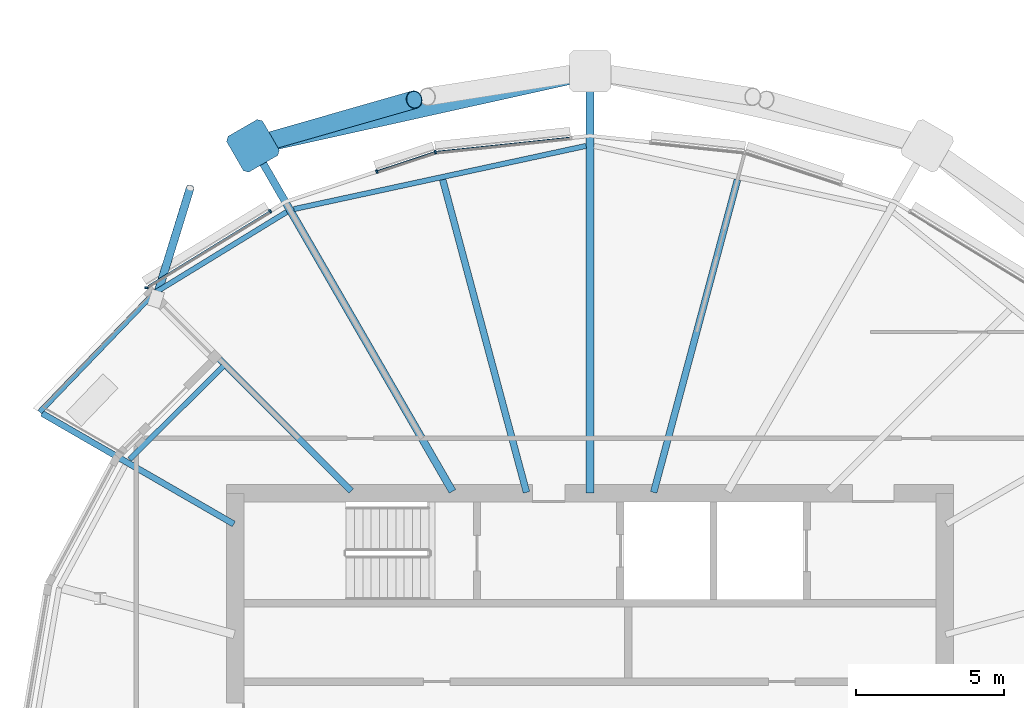
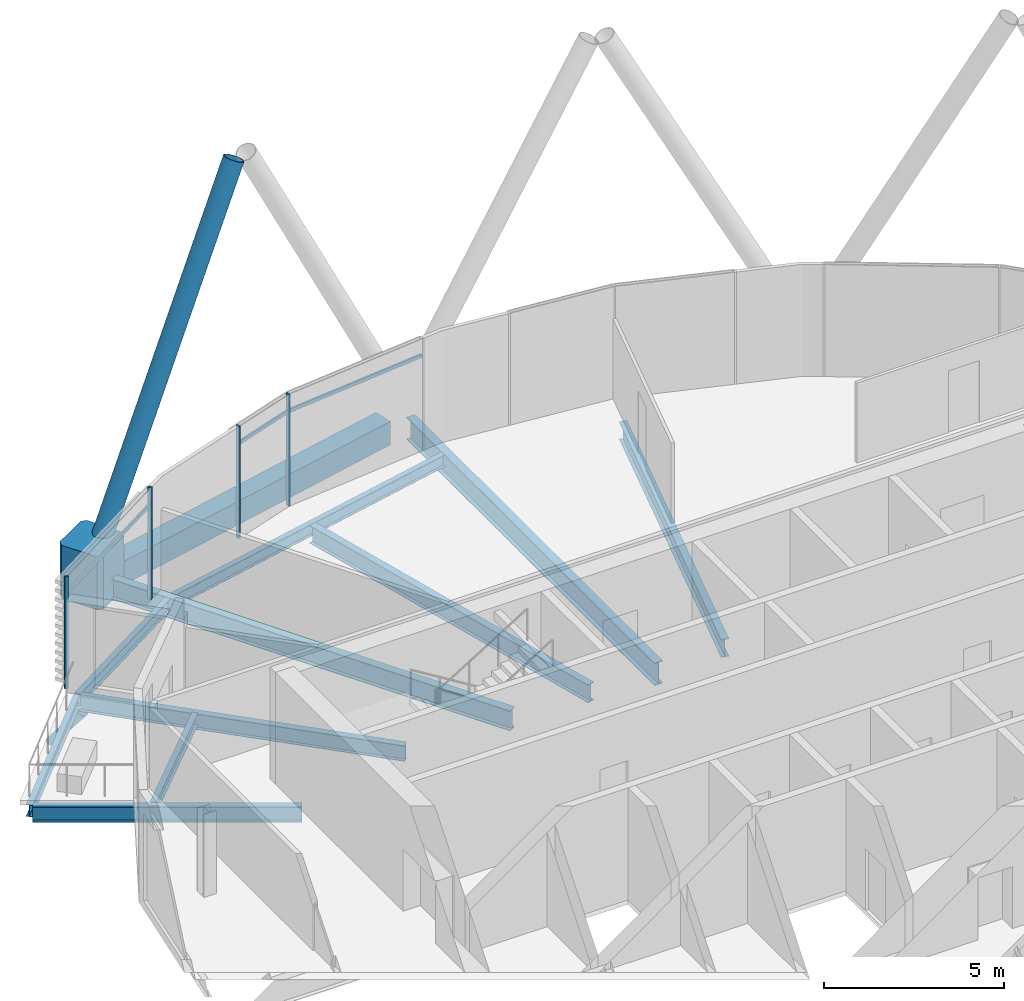
# One storey, part 10 of 38: 11 beams, 10 members, 1 element without a shape of its own.
"""IFC4 building model written with IfcOpenShell, lengths in metres."""

from ifc_helpers import new_model, si_unit, direction, frame, origin, origin_2d, place, context, subcontext, project, spatial, polyline, rectangle, hollow_rectangle, hollow_circle, i_section, outline, extrude, clip, halfspace, material, material_profile, profile_set, type_object, element, aggregate, save


model = new_model("IFC4")

# Units and contexts
model_context = context("Model", 3, precision=1e-05, world=origin(), true_north=direction((0.0, 1.0)))
body_context = subcontext(model_context, "Body", "Model", "MODEL_VIEW")
ifc_project = project(units=[si_unit("LENGTHUNIT", "METRE"), si_unit("AREAUNIT", "SQUARE_METRE"), si_unit("VOLUMEUNIT", "CUBIC_METRE"), si_unit("PLANEANGLEUNIT", "RADIAN"), si_unit("MASSUNIT", "GRAM", prefix="KILO")], contexts=[model_context])

# Site, building, storey
site_placement = place(None, origin())
site = spatial("IfcSite", under=ifc_project, at=site_placement, CompositionType="ELEMENT")
building_placement = place(site_placement, origin())
building = spatial("IfcBuilding", under=site, at=building_placement, Name="Rimbun Link Towers", CompositionType="ELEMENT")
storey_placement = place(building_placement, frame((0.0, 0.0, 158.89990234375)))
storey = spatial("IfcBuildingStorey", under=building, at=storey_placement, Name="L38", CompositionType="ELEMENT", Elevation=158.89990234375)

# Curtain wall, members
ifc_material_1 = material(Name="Aluminium 6063-T6 and low-iron glass", Category="aluminium")
curtain_wall_type = type_object("IfcCurtainWallType", Name="CW1-Z3 unitised vision wall (zone 3)", PredefinedType="NOTDEFINED", material=ifc_material_1)
curtain_wall_placement = place(storey_placement, origin())
curtain_wall = element("IfcCurtainWall", 1, at=curtain_wall_placement, inside=storey, type_object=curtain_wall_type, Name="CW1 L38 T1", PredefinedType="NOTDEFINED")
ifc_material_2 = material(Name="Aluminium 6063-T6", Category="aluminium")
ifc_material_profile_1 = material_profile(ifc_material_2, rectangle(XDim=0.1201171875, YDim=0.06005859375, at=origin_2d()), Name="MULLION 60X120")
ifc_profile_set_1 = profile_set([ifc_material_profile_1], Name="Aluminium 6063-T6")
member_type_1 = type_object("IfcMemberType", Name="CW1 mullion 60X120", PredefinedType="MULLION", material=ifc_profile_set_1)
member_1_placement = place(storey_placement, frame((-36.98291015625, 19.541015625, 0.0), z_axis=(0.0, 0.0, 1.0), x_axis=(-0.210865888506, 0.977515000941, 0.0)))
member_1 = element("IfcMember", 2, at=member_1_placement, type_object=member_type_1, Name="CW1 mullion", PredefinedType="MULLION", context=body_context, shape_type="SweptSolid", body=[
    extrude(rectangle(XDim=0.1201171875, YDim=0.06005859375, at=origin_2d()), origin(), (0.0, 0.0, 1.0), 3.800048828125),
])
member_2_placement = place(storey_placement, frame((-38.9638671875, 18.884765625, 0.0), z_axis=(0.0, 0.0, 1.0), x_axis=(-0.314555722988, 0.949239009489, 0.0)))
member_2 = element("IfcMember", 3, at=member_2_placement, type_object=member_type_1, Name="CW1 mullion", PredefinedType="MULLION", context=body_context, shape_type="SweptSolid", body=[
    extrude(rectangle(XDim=0.1201171875, YDim=0.06005859375, at=origin_2d()), origin(), (0.0, 0.0, 1.0), 3.800048828125),
])
member_3_placement = place(storey_placement, frame((-46.752197265625, 14.94970703125, 0.0), z_axis=(0.0, 0.0, 1.0), x_axis=(-0.993120151139, 0.117099809568, 0.0)))
member_3 = element("IfcMember", 4, at=member_3_placement, type_object=member_type_1, Name="CW1 mullion", PredefinedType="MULLION", context=body_context, shape_type="SweptSolid", body=[
    extrude(rectangle(XDim=0.1201171875, YDim=0.06005859375, at=origin_2d()), origin(), (0.0, 0.0, 1.0), 3.800048828125),
])
member_4_placement = place(storey_placement, frame((-42.57275390625, 17.542724609375, 0.0), z_axis=(0.0, 0.0, 1.0), x_axis=(-0.523249760653, 0.85217937547, 0.0)))
member_4 = element("IfcMember", 5, at=member_4_placement, type_object=member_type_1, Name="CW1 mullion", PredefinedType="MULLION", context=body_context, shape_type="SweptSolid", body=[
    extrude(rectangle(XDim=0.1201171875, YDim=0.06005859375, at=origin_2d()), origin(), (0.0, 0.0, 1.0), 3.800048828125),
])
ifc_material_3 = material(Name="Aluminium 6063-T6", Category="aluminium")
ifc_material_profile_2 = material_profile(ifc_material_3, rectangle(XDim=0.06005859375, YDim=0.1201171875, at=origin_2d()), Name="TRANSOM 60X120")
ifc_profile_set_2 = profile_set([ifc_material_profile_2], Name="Aluminium 6063-T6")
member_type_2 = type_object("IfcMemberType", Name="CW1 transom 60X120", PredefinedType="USERDEFINED", material=ifc_profile_set_2)
member_5_placement = place(storey_placement, frame((-36.946533203125, 19.543212890625, 3.2001953125), z_axis=(0.99450162093, 0.104721182042, 0.0), x_axis=(-0.104721182042, 0.99450162093, 0.0)))
member_5 = element("IfcMember", 6, at=member_5_placement, type_object=member_type_2, Name="CW1 transom", ObjectType="TRANSOM", PredefinedType="USERDEFINED", context=body_context, shape_type="SweptSolid", body=[
    extrude(rectangle(XDim=0.06005859375, YDim=0.1201171875, at=origin_2d()), origin(), (0.0, 0.0, 1.0), 4.5390625),
])
member_6_placement = place(storey_placement, frame((-38.934814453125, 18.892333984375, 3.2001953125), z_axis=(0.949237719427, 0.314559615999, 0.0), x_axis=(-0.314559615999, 0.949237719427, 0.0)))
member_6 = element("IfcMember", 7, at=member_6_placement, type_object=member_type_2, Name="CW1 transom", ObjectType="TRANSOM", PredefinedType="USERDEFINED", context=body_context, shape_type="SweptSolid", body=[
    extrude(rectangle(XDim=0.06005859375, YDim=0.1201171875, at=origin_2d()), origin(), (0.0, 0.0, 1.0), 2.020263671875),
])
member_7_placement = place(storey_placement, frame((-46.697509765625, 15.0078125, 3.2001953125), z_axis=(0.852173607466, 0.523259154471, 0.0), x_axis=(-0.523259154471, 0.852173607466, 0.0)))
member_7 = element("IfcMember", 8, at=member_7_placement, type_object=member_type_2, Name="CW1 transom", ObjectType="TRANSOM", PredefinedType="USERDEFINED", context=body_context, shape_type="SweptSolid", body=[
    extrude(rectangle(XDim=0.06005859375, YDim=0.1201171875, at=origin_2d()), origin(), (0.0, 0.0, 1.0), 4.811279296875),
])
aggregate(curtain_wall, [member_1, member_2, member_3, member_4, member_5, member_6, member_7])

# Members
ifc_material_4 = material(Name="Steel S355J2H", Category="steel")
ifc_material_profile_3 = material_profile(ifc_material_4, hollow_circle(Radius=0.3046875, WallThickness=0.02490234375, at=origin_2d()), Name="Diagrid diagonal CHS 610x25")
ifc_profile_set_3 = profile_set([ifc_material_profile_3], Name="Steel S355J2H")
member_type_3 = type_object("IfcMemberType", Name="Diagrid diagonal CHS 610x25", PredefinedType="BRACE", material=ifc_profile_set_3)
member_8_placement = place(storey_placement, frame((-42.93408203125, 19.8173828125, 0.444091796875), z_axis=(0.442152021771, 0.126644382728, 0.887954272453), x_axis=(-0.275354732768, 0.961342691834, 0.0)))
element("IfcMember", 9, at=member_8_placement, inside=storey, type_object=member_type_3, Name="Diagrid diagonal T1 L38-L41 08a", PredefinedType="BRACE", context=body_context, shape_type="SweptSolid", body=[
    extrude(hollow_circle(Radius=0.3046875, WallThickness=0.02490234375, at=origin_2d()), origin(), (0.0, 0.0, 1.0), 11.83837890625),
])
ifc_material_5 = material(Name="Cast steel G20Mn5+QT, Rp0.2 300 MPa", Category="steel")
ifc_material_profile_4 = material_profile(ifc_material_5, outline(polyline([(0.699951171875, -0.570068359375), (0.699951171875, 0.570068359375), (0.570068359375, 0.699951171875), (-0.570068359375, 0.699951171875), (-0.699951171875, 0.570068359375), (-0.699951171875, -0.570068359375), (-0.570068359375, -0.699951171875), (0.570068359375, -0.699951171875), (0.699951171875, -0.570068359375)])), Name="NODE 1400x1400")
ifc_profile_set_4 = profile_set([ifc_material_profile_4], Name="Cast steel G20Mn5+QT, Rp0.2 300 MPa")
member_type_4 = type_object("IfcMemberType", Name="Diagrid node cast 1400", PredefinedType="USERDEFINED", material=ifc_profile_set_4)
member_9_placement = place(storey_placement, frame((-43.155029296875, 19.754150390625, -0.89990234375), z_axis=(0.0, 0.0, 1.0), x_axis=(-0.5, 0.866025403784, 0.0)))
element("IfcMember", 10, at=member_9_placement, inside=storey, type_object=member_type_4, Name="Diagrid node L38 08", ObjectType="Diagrid node", PredefinedType="USERDEFINED", context=body_context, shape_type="SweptSolid", body=[
    extrude(outline(polyline([(0.699951171875, -0.570068359375), (0.699951171875, 0.570068359375), (0.570068359375, 0.699951171875), (-0.570068359375, 0.699951171875), (-0.699951171875, 0.570068359375), (-0.699951171875, -0.570068359375), (-0.570068359375, -0.699951171875), (0.570068359375, -0.699951171875), (0.699951171875, -0.570068359375)])), origin(), (0.0, 0.0, 1.0), 1.800048828125),
])

# Beam
ifc_material_6 = material(Name="Steel S355J2", Category="steel")
ifc_material_profile_5 = material_profile(ifc_material_6, hollow_rectangle(XDim=0.60009765625, YDim=0.800048828125, WallThickness=0.0400390625, at=origin_2d()), Name="Exoskeleton ring girder BOX 600x800x40")
ifc_profile_set_5 = profile_set([ifc_material_profile_5], Name="Steel S355J2")
beam_type_1 = type_object("IfcBeamType", Name="Exoskeleton ring girder BOX 600x800x40", PredefinedType="BEAM", material=ifc_profile_set_5)
beam_1_placement = place(storey_placement, frame((-32.433349609375, 22.130615234375, -0.559814453125), z_axis=(-0.976303128555, -0.216407488719, 0.0), x_axis=(0.216407488719, -0.976303128555, 0.0)))
element("IfcBeam", 11, at=beam_1_placement, inside=storey, type_object=beam_type_1, Name="Exoskeleton ring girder L38 03", PredefinedType="BEAM", context=body_context, shape_type="SweptSolid", body=[
    extrude(hollow_rectangle(XDim=0.60009765625, YDim=0.800048828125, WallThickness=0.0400390625, at=origin_2d()), origin(), (0.0, 0.0, 1.0), 10.281982421875),
])

# Member
ifc_material_7 = material(Name="Steel S355J2H", Category="steel")
ifc_material_profile_6 = material_profile(ifc_material_7, hollow_circle(Radius=0.136474609375, WallThickness=0.012451171875, at=origin_2d()), Name="CHS 273x12.5")
ifc_profile_set_6 = profile_set([ifc_material_profile_6], Name="Steel S355J2H")
member_type_5 = type_object("IfcMemberType", Name="Floor edge link CHS 273x12.5", PredefinedType="BRACE", material=ifc_profile_set_6)
member_10_placement = place(storey_placement, frame((-46.41162109375, 14.66162109375, -0.78369140625), z_axis=(0.216401662369, 0.700188697759, -0.680372036502), x_axis=(-0.955410455189, 0.295280988409, 0.0)))
element("IfcMember", 12, at=member_10_placement, inside=storey, type_object=member_type_5, Name="Floor edge link T1 L38 09", PredefinedType="BRACE", context=body_context, shape_type="Clipping", body=[
    clip(extrude(hollow_circle(Radius=0.136474609375, WallThickness=0.012451171875, at=origin_2d()), frame((0.0, 0.0, -0.308837890625)), (0.0, 0.0, 1.0), 5.55712890625), halfspace(frame((0.0, 0.0, -0.14501953125), z_axis=(0.0, 0.732866899202, -0.680372036502)), False)),
])

# Beams
ifc_material_8 = material(Name="Steel S355J2", Category="steel")
ifc_material_profile_7 = material_profile(ifc_material_8, i_section(OverallWidth=0.177978515625, OverallDepth=0.406494140625, WebThickness=0.0078125, FlangeThickness=0.0126953125, at=origin_2d()), Name="UB 406x178x60")
ifc_profile_set_7 = profile_set([ifc_material_profile_7], Name="Steel S355J2")
beam_type_2 = type_object("IfcBeamType", Name="UB 406x178x60", PredefinedType="BEAM", material=ifc_profile_set_7)
beam_2_placement = place(storey_placement, frame((-31.88427734375, 19.751708984375, -0.35302734375), z_axis=(-0.97738977143, -0.211445583315, 0.0), x_axis=(0.211445583315, -0.97738977143, 0.0)))
element("IfcBeam", 13, at=beam_2_placement, inside=storey, type_object=beam_type_2, Name="Edge beam T1 L38 06-08", PredefinedType="BEAM", context=body_context, shape_type="SweptSolid", body=[
    extrude(i_section(OverallWidth=0.177978515625, OverallDepth=0.406494140625, WebThickness=0.0078125, FlangeThickness=0.0126953125, at=origin_2d()), origin(), (0.0, 0.0, 1.0), 10.11572265625),
])
beam_3_placement = place(storey_placement, frame((-42.013427734375, 17.5166015625, -0.35302734375), z_axis=(-0.852661926186, -0.522463050973, 0.0), x_axis=(0.522463050973, -0.852661926186, 0.0)))
element("IfcBeam", 14, at=beam_3_placement, inside=storey, type_object=beam_type_2, Name="Edge beam T1 L38 08", PredefinedType="BEAM", context=body_context, shape_type="SweptSolid", body=[
    extrude(i_section(OverallWidth=0.177978515625, OverallDepth=0.406494140625, WebThickness=0.0078125, FlangeThickness=0.0126953125, at=origin_2d()), origin(), (0.0, 0.0, 1.0), 5.26220703125),
])
beam_4_placement = place(storey_placement, frame((-44.1376953125, 12.323974609375, -0.35302734375), z_axis=(-0.707946236889, -0.706266327723, 0.0), x_axis=(0.706266327723, -0.707946236889, 0.0)))
element("IfcBeam", 15, at=beam_4_placement, inside=storey, type_object=beam_type_2, Name="Edge beam T1 L38 09 recess", PredefinedType="BEAM", context=body_context, shape_type="SweptSolid", body=[
    extrude(i_section(OverallWidth=0.177978515625, OverallDepth=0.406494140625, WebThickness=0.0078125, FlangeThickness=0.0126953125, at=origin_2d()), origin(), (0.0, 0.0, 1.0), 4.505126953125),
])
beam_5_placement = place(storey_placement, frame((-46.51953125, 14.751953125, -0.35302734375), z_axis=(-0.692983908202, -0.720953051851, 0.0), x_axis=(0.720953051851, -0.692983908202, 0.0)))
element("IfcBeam", 16, at=beam_5_placement, inside=storey, type_object=beam_type_2, Name="Edge beam T1 L38 09 terrace", PredefinedType="BEAM", context=body_context, shape_type="SweptSolid", body=[
    extrude(i_section(OverallWidth=0.177978515625, OverallDepth=0.406494140625, WebThickness=0.0078125, FlangeThickness=0.0126953125, at=origin_2d()), origin(), (0.0, 0.0, 1.0), 5.551513671875),
])
ifc_material_9 = material(Name="Steel S355J2", Category="steel")
ifc_material_profile_8 = material_profile(ifc_material_9, i_section(OverallWidth=0.209228515625, OverallDepth=0.533203125, WebThickness=0.010009765625, FlangeThickness=0.015625, at=origin_2d()), Name="UB 533x210x92")
ifc_profile_set_8 = profile_set([ifc_material_profile_8], Name="Steel S355J2")
beam_type_3 = type_object("IfcBeamType", Name="UB 533x210x92", PredefinedType="BEAM", material=ifc_profile_set_8)
beam_6_placement = place(storey_placement, frame((-39.82470703125, 8.07470703125, -0.41650390625), z_axis=(-0.707106781187, 0.707106781187, 0.0), x_axis=(-0.707106781187, -0.707106781187, 0.0)))
element("IfcBeam", 17, at=beam_6_placement, inside=storey, type_object=beam_type_3, Name="Radial beam T1 L38 09", PredefinedType="BEAM", context=body_context, shape_type="SweptSolid", body=[
    extrude(i_section(OverallWidth=0.209228515625, OverallDepth=0.533203125, WebThickness=0.010009765625, FlangeThickness=0.015625, at=origin_2d()), origin(), (0.0, 0.0, 1.0), 9.365478515625),
])
beam_7_placement = place(storey_placement, frame((-43.80322265625, 6.958984375, -0.41650390625), z_axis=(-0.866029194288, 0.499993434597, 0.0), x_axis=(-0.499993434597, -0.866029194288, 0.0)))
element("IfcBeam", 18, at=beam_7_placement, inside=storey, type_object=beam_type_3, Name="Radial beam T1 L38 10", PredefinedType="BEAM", context=body_context, shape_type="SweptSolid", body=[
    extrude(i_section(OverallWidth=0.209228515625, OverallDepth=0.533203125, WebThickness=0.010009765625, FlangeThickness=0.015625, at=origin_2d()), origin(), (0.0, 0.0, 1.0), 7.48681640625),
])
ifc_material_10 = material(Name="Steel S355J2", Category="steel")
ifc_material_profile_9 = material_profile(ifc_material_10, i_section(OverallWidth=0.2275390625, OverallDepth=0.6025390625, WebThickness=0.010498046875, FlangeThickness=0.014892578125, at=origin_2d()), Name="UB 610x229x101")
ifc_profile_set_9 = profile_set([ifc_material_profile_9], Name="Steel S355J2")
beam_type_4 = type_object("IfcBeamType", Name="UB 610x229x101", PredefinedType="BEAM", material=ifc_profile_set_9)
for number, where, z_axis, x_axis, name in (
    (19, (-29.598388671875, 8.030517578125, -0.451171875), (0.258833388669, 0.965921982828, 0.0), (-0.965921982828, 0.258833388669, 0.0), "Radial beam T1 L38 05"),
    (20, (-33.901611328125, 8.030517578125, -0.451171875), (-0.258833388669, 0.965921982828, 0.0), (-0.965921982828, -0.258833388669, 0.0), "Radial beam T1 L38 07"),
):
    element("IfcBeam", number, at=place(storey_placement, frame(where, z_axis=z_axis, x_axis=x_axis)), inside=storey, type_object=beam_type_4, Name=name, PredefinedType="BEAM", context=body_context, shape_type="SweptSolid", body=[
        extrude(i_section(OverallWidth=0.2275390625, OverallDepth=0.6025390625, WebThickness=0.010498046875, FlangeThickness=0.014892578125, at=origin_2d()), origin(), (0.0, 0.0, 1.0), 10.952880859375),
    ])
ifc_material_11 = material(Name="Steel S355J2", Category="steel")
ifc_material_profile_10 = material_profile(ifc_material_11, i_section(OverallWidth=0.253662109375, OverallDepth=0.68359375, WebThickness=0.012451171875, FlangeThickness=0.01904296875, at=origin_2d()), Name="UB 686x254x140")
ifc_profile_set_10 = profile_set([ifc_material_profile_10], Name="Steel S355J2")
beam_type_5 = type_object("IfcBeamType", Name="UB 686x254x140", PredefinedType="BEAM", material=ifc_profile_set_10)
beam_8_placement = place(storey_placement, frame((-36.406005859375, 8.064208984375, -0.49169921875), z_axis=(-0.499993432475, 0.866029195513, 0.0), x_axis=(-0.866029195513, -0.499993432475, 0.0)))
element("IfcBeam", 21, at=beam_8_placement, inside=storey, type_object=beam_type_5, Name="Radial beam T1 L38 08", PredefinedType="BEAM", context=body_context, shape_type="SweptSolid", body=[
    extrude(i_section(OverallWidth=0.253662109375, OverallDepth=0.68359375, WebThickness=0.012451171875, FlangeThickness=0.01904296875, at=origin_2d()), origin(), (0.0, 0.0, 1.0), 12.998291015625),
])
ifc_material_12 = material(Name="Steel S355J2", Category="steel")
ifc_material_profile_11 = material_profile(ifc_material_12, i_section(OverallWidth=0.2666015625, OverallDepth=0.76220703125, WebThickness=0.014404296875, FlangeThickness=0.021484375, at=origin_2d()), Name="UB 762x267x173")
ifc_profile_set_11 = profile_set([ifc_material_profile_11], Name="Steel S355J2")
beam_type_6 = type_object("IfcBeamType", Name="UB 762x267x173", PredefinedType="BEAM", material=ifc_profile_set_11)
beam_9_placement = place(storey_placement, frame((-31.75, 8.0009765625, -0.531005859375), z_axis=(0.0, 1.0, 0.0), x_axis=(-1.0, 0.0, 0.0)))
element("IfcBeam", 22, at=beam_9_placement, inside=storey, type_object=beam_type_6, Name="Radial beam T1 L38 06", PredefinedType="BEAM", context=body_context, shape_type="SweptSolid", body=[
    extrude(i_section(OverallWidth=0.2666015625, OverallDepth=0.76220703125, WebThickness=0.014404296875, FlangeThickness=0.021484375, at=origin_2d()), origin(), (0.0, 0.0, 1.0), 13.781005859375),
])

save(model, "model.ifc")
